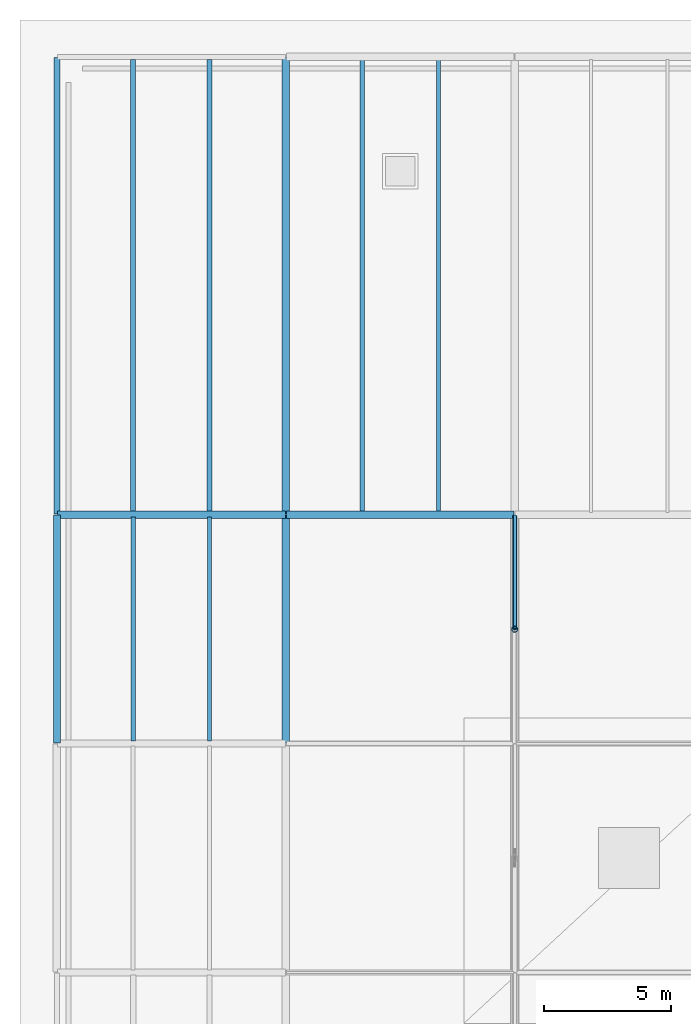
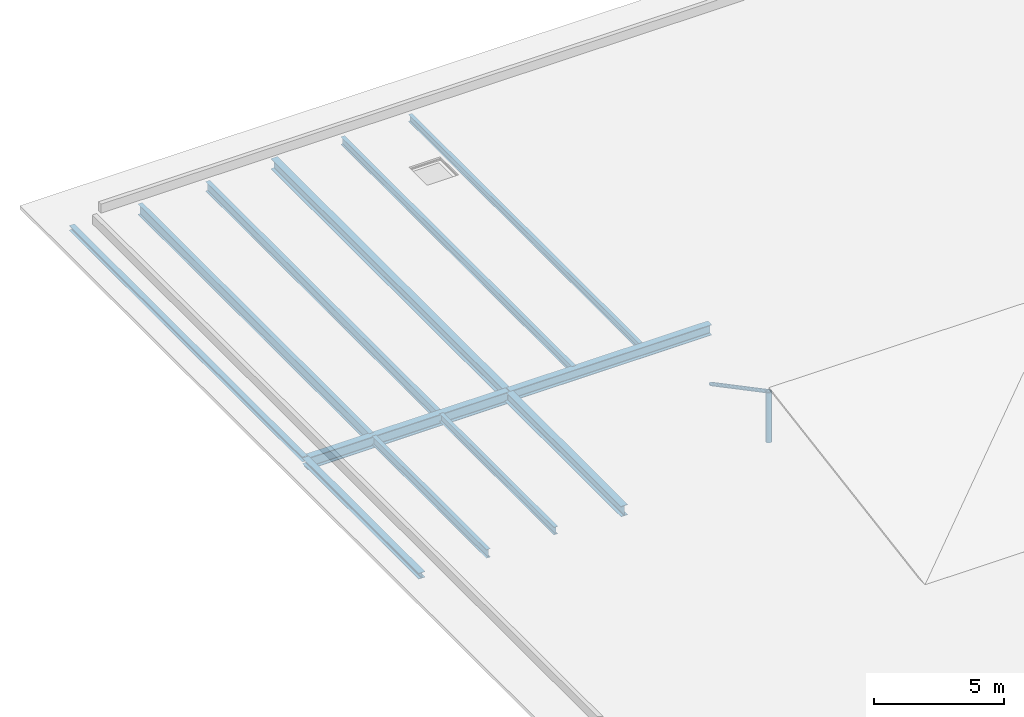
# One storey, part 67 of 196: 12 beams, 2 members.
"""IFC4 building model written with IfcOpenShell, lengths in metres."""

from ifc_helpers import new_model, si_unit, direction, frame, origin, origin_2d, place, context, subcontext, project, spatial, hollow_circle, i_section, extrude, material, material_profile, profile_set, type_object, element, save


model = new_model("IFC4")

# Units and contexts
model_context = context("Model", 3, precision=1e-05, world=origin(), true_north=direction((0.0, 1.0)))
body_context = subcontext(model_context, "Body", "Model", "MODEL_VIEW")
ifc_project = project(units=[si_unit("LENGTHUNIT", "METRE"), si_unit("AREAUNIT", "SQUARE_METRE"), si_unit("VOLUMEUNIT", "CUBIC_METRE"), si_unit("PLANEANGLEUNIT", "RADIAN"), si_unit("MASSUNIT", "GRAM", prefix="KILO")], contexts=[model_context])

# Site, building, storey
site_placement = place(None, origin())
site = spatial("IfcSite", under=ifc_project, at=site_placement, CompositionType="ELEMENT")
building_placement = place(site_placement, origin())
building = spatial("IfcBuilding", under=site, at=building_placement, Name="Barlavento Convention Centre", CompositionType="ELEMENT")
storey_placement = place(building_placement, frame((0.0, 0.0, 18.0)))
storey = spatial("IfcBuildingStorey", under=building, at=storey_placement, Name="L03", CompositionType="ELEMENT", Elevation=18.0)

# Beams
ifc_material = material(Name="Steel S355", Category="steel")
ifc_material_profile_1 = material_profile(ifc_material, i_section(OverallWidth=0.159912109375, OverallDepth=0.330078125, WebThickness=0.007568359375, FlangeThickness=0.011474609375, FilletRadius=0.01806640625, at=origin_2d()), Name="IPE 330")
ifc_profile_set_1 = profile_set([ifc_material_profile_1], Name="Steel S355")
beam_type_1 = type_object("IfcBeamType", Name="STR-BM-JST-IPE330", PredefinedType="JOIST", material=ifc_profile_set_1)
beam_1_placement = place(storey_placement, frame((15.0, 117.094970703125, -0.510009765625), z_axis=(0.0, 1.0, 0.0), x_axis=(-1.0, 0.0, 0.0)))
element("IfcBeam", 1, at=beam_1_placement, inside=storey, type_object=beam_type_1, Name="L03 composite floor joist SJ06", PredefinedType="JOIST", context=body_context, shape_type="SweptSolid", body=[
    extrude(i_section(OverallWidth=0.159912109375, OverallDepth=0.330078125, WebThickness=0.007568359375, FlangeThickness=0.011474609375, FilletRadius=0.01806640625, at=origin_2d()), origin(), (0.0, 0.0, 1.0), 17.81005859375),
])
ifc_material_profile_2 = material_profile(ifc_material, i_section(OverallWidth=0.169921875, OverallDepth=0.360107421875, WebThickness=0.008056640625, FlangeThickness=0.0126953125, FilletRadius=0.01806640625, at=origin_2d()), Name="IPE 360")
ifc_profile_set_2 = profile_set([ifc_material_profile_2], Name="Steel S355")
beam_type_2 = type_object("IfcBeamType", Name="STR-BM-JST-IPE360", PredefinedType="JOIST", material=ifc_profile_set_2)
beam_2_placement = place(storey_placement, frame((6.0, 108.094970703125, -0.52490234375), z_axis=(0.0, 1.0, 0.0), x_axis=(-1.0, 0.0, 0.0)))
element("IfcBeam", 2, at=beam_2_placement, inside=storey, type_object=beam_type_2, Name="L03 composite floor joist SJ05", PredefinedType="JOIST", context=body_context, shape_type="SweptSolid", body=[
    extrude(i_section(OverallWidth=0.169921875, OverallDepth=0.360107421875, WebThickness=0.008056640625, FlangeThickness=0.0126953125, FilletRadius=0.01806640625, at=origin_2d()), origin(), (0.0, 0.0, 1.0), 8.81005859375),
])
beam_3_placement = place(storey_placement, frame((12.0, 117.094970703125, -0.52490234375), z_axis=(0.0, 1.0, 0.0), x_axis=(-1.0, 0.0, 0.0)))
element("IfcBeam", 3, at=beam_3_placement, inside=storey, type_object=beam_type_2, Name="L03 composite floor joist SJ05", PredefinedType="JOIST", context=body_context, shape_type="SweptSolid", body=[
    extrude(i_section(OverallWidth=0.169921875, OverallDepth=0.360107421875, WebThickness=0.008056640625, FlangeThickness=0.0126953125, FilletRadius=0.01806640625, at=origin_2d()), origin(), (0.0, 0.0, 1.0), 17.81005859375),
])
ifc_material_profile_3 = material_profile(ifc_material, i_section(OverallWidth=0.179931640625, OverallDepth=0.39990234375, WebThickness=0.008544921875, FlangeThickness=0.013427734375, FilletRadius=0.02099609375, at=origin_2d()), Name="IPE 400")
ifc_profile_set_3 = profile_set([ifc_material_profile_3], Name="Steel S355")
beam_type_3 = type_object("IfcBeamType", Name="STR-BM-JST-IPE400", PredefinedType="JOIST", material=ifc_profile_set_3)
beam_4_placement = place(storey_placement, frame((3.0, 108.094970703125, -0.544921875), z_axis=(0.0, 1.0, 0.0), x_axis=(-1.0, 0.0, 0.0)))
element("IfcBeam", 4, at=beam_4_placement, inside=storey, type_object=beam_type_3, Name="L03 composite floor joist SJ04", PredefinedType="JOIST", context=body_context, shape_type="SweptSolid", body=[
    extrude(i_section(OverallWidth=0.179931640625, OverallDepth=0.39990234375, WebThickness=0.008544921875, FlangeThickness=0.013427734375, FilletRadius=0.02099609375, at=origin_2d()), origin(), (0.0, 0.0, 1.0), 8.81005859375),
])
ifc_material_profile_4 = material_profile(ifc_material, i_section(OverallWidth=0.18994140625, OverallDepth=0.449951171875, WebThickness=0.009521484375, FlangeThickness=0.0146484375, FilletRadius=0.02099609375, at=origin_2d()), Name="IPE 450")
ifc_profile_set_4 = profile_set([ifc_material_profile_4], Name="Steel S355")
beam_type_4 = type_object("IfcBeamType", Name="STR-BM-JST-IPE450", PredefinedType="JOIST", material=ifc_profile_set_4)
beam_5_placement = place(storey_placement, frame((6.0, 117.094970703125, -0.570068359375), z_axis=(0.0, 1.0, 0.0), x_axis=(-1.0, 0.0, 0.0)))
element("IfcBeam", 5, at=beam_5_placement, inside=storey, type_object=beam_type_4, Name="L03 composite floor joist SJ03", PredefinedType="JOIST", context=body_context, shape_type="SweptSolid", body=[
    extrude(i_section(OverallWidth=0.18994140625, OverallDepth=0.449951171875, WebThickness=0.009521484375, FlangeThickness=0.0146484375, FilletRadius=0.02099609375, at=origin_2d()), origin(), (0.0, 0.0, 1.0), 17.81005859375),
])
ifc_material_profile_5 = material_profile(ifc_material, i_section(OverallWidth=0.199951171875, OverallDepth=0.5, WebThickness=0.01025390625, FlangeThickness=0.01611328125, FilletRadius=0.02099609375, at=origin_2d()), Name="IPE 500")
ifc_profile_set_5 = profile_set([ifc_material_profile_5], Name="Steel S355")
beam_type_5 = type_object("IfcBeamType", Name="STR-BM-JST-IPE500", PredefinedType="JOIST", material=ifc_profile_set_5)
beam_6_placement = place(storey_placement, frame((3.0, 117.094970703125, -0.594970703125), z_axis=(0.0, 1.0, 0.0), x_axis=(-1.0, 0.0, 0.0)))
element("IfcBeam", 6, at=beam_6_placement, inside=storey, type_object=beam_type_5, Name="L03 composite floor joist SJ02", PredefinedType="JOIST", context=body_context, shape_type="SweptSolid", body=[
    extrude(i_section(OverallWidth=0.199951171875, OverallDepth=0.5, WebThickness=0.01025390625, FlangeThickness=0.01611328125, FilletRadius=0.02099609375, at=origin_2d()), origin(), (0.0, 0.0, 1.0), 17.81005859375),
])
ifc_material_profile_6 = material_profile(ifc_material, i_section(OverallWidth=0.300048828125, OverallDepth=0.489990234375, WebThickness=0.011962890625, FlangeThickness=0.02294921875, FilletRadius=0.027099609375, at=origin_2d()), Name="HEA 500")
ifc_profile_set_6 = profile_set([ifc_material_profile_6], Name="Steel S355")
beam_type_6 = type_object("IfcBeamType", Name="STR-BM-PRI-HEA500", PredefinedType="BEAM", material=ifc_profile_set_6)
beam_7_placement = place(storey_placement, frame((9.0, 108.02001953125, -0.590087890625), z_axis=(0.0, 1.0, 0.0), x_axis=(-1.0, 0.0, 0.0)))
element("IfcBeam", 7, at=beam_7_placement, inside=storey, type_object=beam_type_6, Name="L03 grid girder BG20", PredefinedType="BEAM", context=body_context, shape_type="SweptSolid", body=[
    extrude(i_section(OverallWidth=0.300048828125, OverallDepth=0.489990234375, WebThickness=0.011962890625, FlangeThickness=0.02294921875, FilletRadius=0.027099609375, at=origin_2d()), origin(), (0.0, 0.0, 1.0), 8.9599609375),
])
beam_8_placement = place(storey_placement, frame((9.0, 117.02001953125, -0.590087890625), z_axis=(0.0, 1.0, 0.0), x_axis=(-1.0, 0.0, 0.0)))
element("IfcBeam", 8, at=beam_8_placement, inside=storey, type_object=beam_type_6, Name="L03 grid girder BG20", PredefinedType="BEAM", context=body_context, shape_type="SweptSolid", body=[
    extrude(i_section(OverallWidth=0.300048828125, OverallDepth=0.489990234375, WebThickness=0.011962890625, FlangeThickness=0.02294921875, FilletRadius=0.027099609375, at=origin_2d()), origin(), (0.0, 0.0, 1.0), 17.9599609375),
])
ifc_material_profile_7 = material_profile(ifc_material, i_section(OverallWidth=0.300048828125, OverallDepth=0.5, WebThickness=0.014404296875, FlangeThickness=0.028076171875, FilletRadius=0.027099609375, at=origin_2d()), Name="HEB 500")
ifc_profile_set_7 = profile_set([ifc_material_profile_7], Name="Steel S355")
beam_type_7 = type_object("IfcBeamType", Name="STR-BM-PRI-HEB500", PredefinedType="BEAM", material=ifc_profile_set_7)
beam_9_placement = place(storey_placement, frame((9.02001953125, 117.0, -0.594970703125), z_axis=(1.0, 0.0, 0.0), x_axis=(0.0, 1.0, 0.0)))
element("IfcBeam", 9, at=beam_9_placement, inside=storey, type_object=beam_type_7, Name="L03 primary girder BG09", PredefinedType="BEAM", context=body_context, shape_type="SweptSolid", body=[
    extrude(i_section(OverallWidth=0.300048828125, OverallDepth=0.5, WebThickness=0.014404296875, FlangeThickness=0.028076171875, FilletRadius=0.027099609375, at=origin_2d()), origin(), (0.0, 0.0, 1.0), 8.9599609375),
])
ifc_material_profile_8 = material_profile(ifc_material, i_section(OverallWidth=0.300048828125, OverallDepth=0.550048828125, WebThickness=0.014892578125, FlangeThickness=0.029052734375, FilletRadius=0.027099609375, at=origin_2d()), Name="HEB 550")
ifc_profile_set_8 = profile_set([ifc_material_profile_8], Name="Steel S355")
beam_type_8 = type_object("IfcBeamType", Name="STR-BM-PRI-HEB550", PredefinedType="BEAM", material=ifc_profile_set_8)
beam_10_placement = place(storey_placement, frame((0.02001953125, 117.0, -0.6201171875), z_axis=(1.0, 0.0, 0.0), x_axis=(0.0, 1.0, 0.0)))
element("IfcBeam", 10, at=beam_10_placement, inside=storey, type_object=beam_type_8, Name="L03 primary girder BG08", PredefinedType="BEAM", context=body_context, shape_type="SweptSolid", body=[
    extrude(i_section(OverallWidth=0.300048828125, OverallDepth=0.550048828125, WebThickness=0.014892578125, FlangeThickness=0.029052734375, FilletRadius=0.027099609375, at=origin_2d()), origin(), (0.0, 0.0, 1.0), 8.9599609375),
])
ifc_material_profile_9 = material_profile(ifc_material, i_section(OverallWidth=0.239990234375, OverallDepth=0.22998046875, WebThickness=0.007568359375, FlangeThickness=0.011962890625, FilletRadius=0.02099609375, at=origin_2d()), Name="HEA 240")
ifc_profile_set_9 = profile_set([ifc_material_profile_9], Name="Steel S355")
beam_type_9 = type_object("IfcBeamType", Name="STR-BM-SPN-HEA240", PredefinedType="SPANDREL", material=ifc_profile_set_9)
beam_11_placement = place(storey_placement, frame((0.0, 117.02001953125, -0.4599609375), z_axis=(0.0, 1.0, 0.0), x_axis=(-1.0, 0.0, 0.0)))
element("IfcBeam", 11, at=beam_11_placement, inside=storey, type_object=beam_type_9, Name="L03 grid girder SP05", PredefinedType="SPANDREL", context=body_context, shape_type="SweptSolid", body=[
    extrude(i_section(OverallWidth=0.239990234375, OverallDepth=0.22998046875, WebThickness=0.007568359375, FlangeThickness=0.011962890625, FilletRadius=0.02099609375, at=origin_2d()), origin(), (0.0, 0.0, 1.0), 17.9599609375),
])
ifc_material_profile_10 = material_profile(ifc_material, i_section(OverallWidth=0.280029296875, OverallDepth=0.27001953125, WebThickness=0.008056640625, FlangeThickness=0.012939453125, FilletRadius=0.02392578125, at=origin_2d()), Name="HEA 280")
ifc_profile_set_10 = profile_set([ifc_material_profile_10], Name="Steel S355")
beam_type_10 = type_object("IfcBeamType", Name="STR-BM-SPN-HEA280", PredefinedType="SPANDREL", material=ifc_profile_set_10)
beam_12_placement = place(storey_placement, frame((0.0, 108.02001953125, -0.47998046875), z_axis=(0.0, 1.0, 0.0), x_axis=(-1.0, 0.0, 0.0)))
element("IfcBeam", 12, at=beam_12_placement, inside=storey, type_object=beam_type_10, Name="L03 grid girder SP03", PredefinedType="SPANDREL", context=body_context, shape_type="SweptSolid", body=[
    extrude(i_section(OverallWidth=0.280029296875, OverallDepth=0.27001953125, WebThickness=0.008056640625, FlangeThickness=0.012939453125, FilletRadius=0.02392578125, at=origin_2d()), origin(), (0.0, 0.0, 1.0), 8.9599609375),
])

# Members
ifc_material_profile_11 = material_profile(ifc_material, hollow_circle(Radius=0.084228515625, WallThickness=0.010009765625, at=origin_2d()), Name="CHS 168.3x10.0")
ifc_profile_set_11 = profile_set([ifc_material_profile_11], Name="Steel S355")
member_type_1 = type_object("IfcMemberType", Name="STR-MEM-DIAG-CHS168", PredefinedType="POST", material=ifc_profile_set_11)
member_1_placement = place(storey_placement, frame((18.0, 112.5, -0.84912109375), z_axis=(0.0, 0.884200566707, -0.467107437144), x_axis=(-1.0, 0.0, 0.0)))
element("IfcMember", 13, at=member_1_placement, inside=storey, type_object=member_type_1, Name="Exhibition space frame web diagonal", PredefinedType="POST", context=body_context, shape_type="SweptSolid", body=[
    extrude(hollow_circle(Radius=0.084228515625, WallThickness=0.010009765625, at=origin_2d()), origin(), (0.0, 0.0, 1.0), 5.03271484375),
])
ifc_material_profile_12 = material_profile(ifc_material, hollow_circle(Radius=0.122314453125, WallThickness=0.012451171875, at=origin_2d()), Name="CHS 244.5x12.5")
ifc_profile_set_12 = profile_set([ifc_material_profile_12], Name="Steel S355")
member_type_2 = type_object("IfcMemberType", Name="STR-MEM-STRUT-CHS244", PredefinedType="STRUT", material=ifc_profile_set_12)
member_2_placement = place(storey_placement, frame((18.0, 112.5, -3.199951171875), z_axis=(0.0, 0.0, 1.0), x_axis=(1.0, 0.0, 0.0)))
element("IfcMember", 14, at=member_2_placement, inside=storey, type_object=member_type_2, Name="Exhibition space frame vertical strut", PredefinedType="STRUT", context=body_context, shape_type="SweptSolid", body=[
    extrude(hollow_circle(Radius=0.122314453125, WallThickness=0.012451171875, at=origin_2d()), origin(), (0.0, 0.0, 1.0), 2.350830078125),
])

save(model, "model.ifc")
